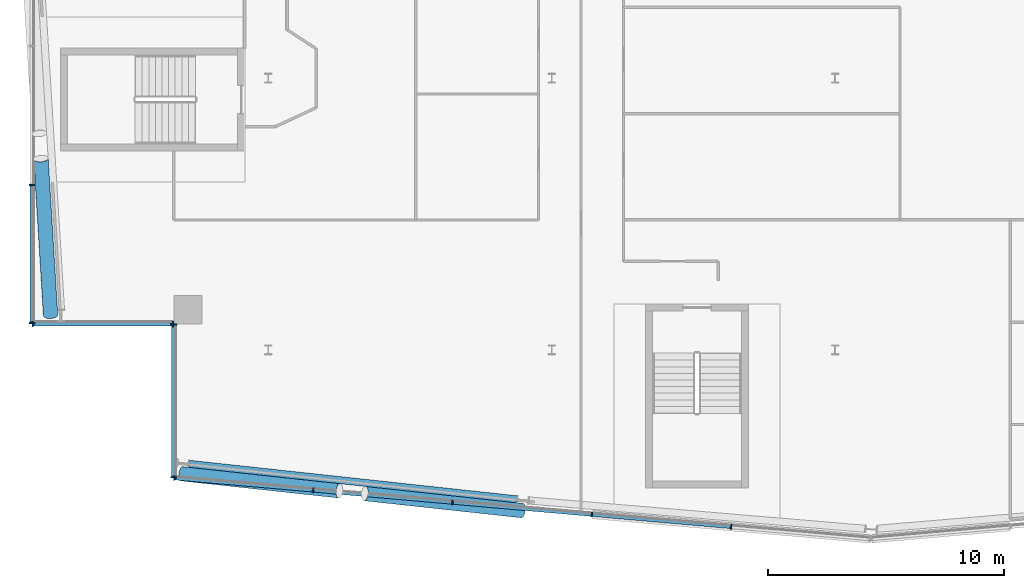
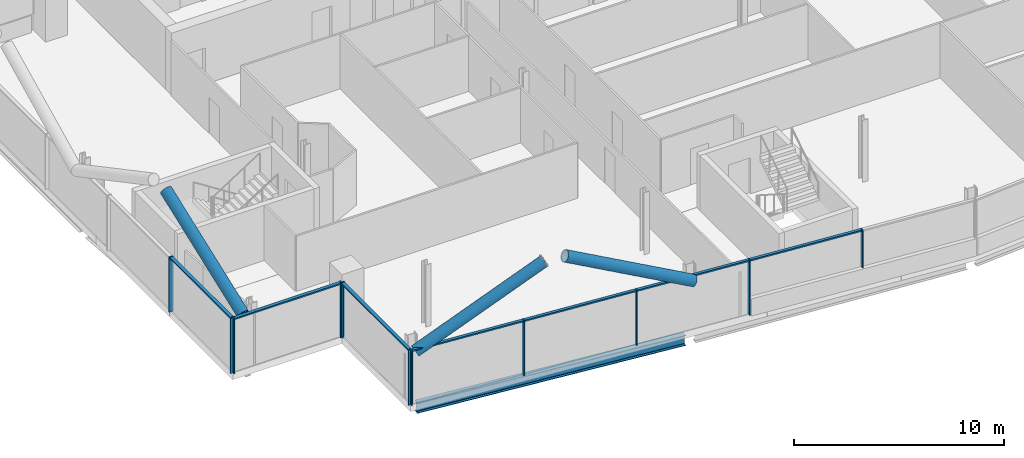
# One storey, part 5 of 25: 21 members, 1 beam, 4 elements without a shape of their own.
"""IFC4 building model written with IfcOpenShell, lengths in metres."""

from ifc_helpers import new_model, si_unit, direction, frame, origin, origin_2d, place, context, subcontext, project, spatial, rectangle, hollow_circle, i_section, extrude, material, material_profile, profile_set, type_object, element, aggregate, save


model = new_model("IFC4")

# Units and contexts
model_context = context("Model", 3, precision=1e-05, world=origin(), true_north=direction((0.0, 1.0)))
body_context = subcontext(model_context, "Body", "Model", "MODEL_VIEW")
ifc_project = project(units=[si_unit("LENGTHUNIT", "METRE"), si_unit("AREAUNIT", "SQUARE_METRE"), si_unit("VOLUMEUNIT", "CUBIC_METRE"), si_unit("PLANEANGLEUNIT", "RADIAN"), si_unit("MASSUNIT", "GRAM", prefix="KILO")], contexts=[model_context])

# Site, building, storey
site_placement = place(None, origin())
site = spatial("IfcSite", under=ifc_project, at=site_placement, CompositionType="ELEMENT")
building_placement = place(site_placement, origin())
building = spatial("IfcBuilding", under=site, at=building_placement, Name="Wharfspan Tower", CompositionType="ELEMENT")
storey_placement = place(building_placement, frame((0.0, 0.0, 225.100098)))
storey = spatial("IfcBuildingStorey", under=building, at=storey_placement, Name="L56", CompositionType="ELEMENT", Elevation=225.100098)

# Beam
ifc_material_1 = material(Name="Steel S355J2", Category="steel")
ifc_material_profile_1 = material_profile(ifc_material_1, i_section(OverallWidth=0.300049, OverallDepth=0.600098, WebThickness=0.015381, FlangeThickness=0.030029, FilletRadius=0.0271, at=origin_2d()))
ifc_profile_set_1 = profile_set([ifc_material_profile_1], Name="Steel S355J2")
beam_type = type_object("IfcBeamType", Name="Edge beam HEB 600", PredefinedType="SPANDREL", material=ifc_profile_set_1)
beam_placement = place(storey_placement, frame((20.648682, 6.674805, -0.700195), z_axis=(0.99418, -0.107732, 0.0), x_axis=(0.107732, 0.99418, 0.0)))
element("IfcBeam", 1, at=beam_placement, inside=storey, type_object=beam_type, Name="Edge beam S1 L56 PS1.1 to PS1.2", PredefinedType="SPANDREL", context=body_context, shape_type="SweptSolid", body=[
    extrude(i_section(OverallWidth=0.300049, OverallDepth=0.600098, WebThickness=0.015381, FlangeThickness=0.030029, FilletRadius=0.0271, at=origin_2d()), origin(), (0.0, 0.0, 1.0), 13.95752),
])

# Curtain wall, members
ifc_material_2 = material(Name="Aluminium 6063-T6", Category="aluminium")
curtain_wall_type_1 = type_object("IfcCurtainWallType", Name="CURTAIN WALL FACETED FRONT", PredefinedType="NOTDEFINED", material=ifc_material_2)
curtain_wall_1_placement = place(storey_placement, origin())
curtain_wall_1 = element("IfcCurtainWall", 2, at=curtain_wall_1_placement, inside=storey, type_object=curtain_wall_type_1, Name="Curtain wall S1", PredefinedType="NOTDEFINED")
ifc_material_profile_2 = material_profile(ifc_material_2, rectangle(XDim=0.199951, YDim=0.060059, at=origin_2d()))
ifc_profile_set_2 = profile_set([ifc_material_profile_2], Name="Aluminium 6063-T6")
member_type_1 = type_object("IfcMemberType", Name="MULLION FACETED FRONT 60x200", PredefinedType="MULLION", material=ifc_profile_set_2)
member_1_placement = place(storey_placement, frame((20.029785, 6.07251, 0.0), z_axis=(0.0, 0.0, 1.0), x_axis=(0.087156, 0.996197, 0.0)))
member_1 = element("IfcMember", 3, at=member_1_placement, type_object=member_type_1, Name="Curtain wall S1 mullion 1", PredefinedType="MULLION", context=body_context, shape_type="SweptSolid", body=[
    extrude(rectangle(XDim=0.199951, YDim=0.060059, at=origin_2d()), origin(), (0.0, 0.0, 1.0), 3.199951),
])
member_2_placement = place(storey_placement, frame((25.899902, 5.558838, 0.0), z_axis=(0.0, 0.0, 1.0), x_axis=(0.087156, 0.996197, 0.0)))
member_2 = element("IfcMember", 4, at=member_2_placement, type_object=member_type_1, Name="Curtain wall S1 mullion 2", PredefinedType="MULLION", context=body_context, shape_type="SweptSolid", body=[
    extrude(rectangle(XDim=0.199951, YDim=0.060059, at=origin_2d()), origin(), (0.0, 0.0, 1.0), 3.199951),
])
member_3_placement = place(storey_placement, frame((31.800049, 5.042725, 0.0), z_axis=(0.0, 0.0, 1.0), x_axis=(0.087156, 0.996197, 0.0)))
member_3 = element("IfcMember", 5, at=member_3_placement, type_object=member_type_1, Name="Curtain wall S1 mullion 3", PredefinedType="MULLION", context=body_context, shape_type="SweptSolid", body=[
    extrude(rectangle(XDim=0.199951, YDim=0.060059, at=origin_2d()), origin(), (0.0, 0.0, 1.0), 3.199951),
])
member_4_placement = place(storey_placement, frame((37.699951, 4.526611, 0.0), z_axis=(0.0, 0.0, 1.0), x_axis=(0.087156, 0.996197, 0.0)))
member_4 = element("IfcMember", 6, at=member_4_placement, type_object=member_type_1, Name="Curtain wall S1 mullion 4", PredefinedType="MULLION", context=body_context, shape_type="SweptSolid", body=[
    extrude(rectangle(XDim=0.199951, YDim=0.060059, at=origin_2d()), origin(), (0.0, 0.0, 1.0), 3.199951),
])
member_5_placement = place(storey_placement, frame((43.600098, 4.010254, 1.0), z_axis=(0.0, 0.0, 1.0), x_axis=(0.087156, 0.996197, 0.0)))
member_5 = element("IfcMember", 7, at=member_5_placement, type_object=member_type_1, Name="Curtain wall S1 mullion 5", PredefinedType="MULLION", context=body_context, shape_type="SweptSolid", body=[
    extrude(rectangle(XDim=0.199951, YDim=0.060059, at=origin_2d()), origin(), (0.0, 0.0, 1.0), 2.199951),
])

curtain_wall_type_2 = type_object("IfcCurtainWallType", Name="CURTAIN WALL PROW AND END", PredefinedType="NOTDEFINED", material=ifc_material_2)
curtain_wall_2_placement = place(storey_placement, origin())
curtain_wall_2 = element("IfcCurtainWall", 8, at=curtain_wall_2_placement, inside=storey, type_object=curtain_wall_type_2, Name="Curtain wall W", PredefinedType="NOTDEFINED")
ifc_material_profile_3 = material_profile(ifc_material_2, rectangle(XDim=0.23999, YDim=0.060059, at=origin_2d()))
ifc_profile_set_3 = profile_set([ifc_material_profile_3], Name="Aluminium 6063-T6")
member_type_2 = type_object("IfcMemberType", Name="MULLION PROW AND END 60x240", PredefinedType="MULLION", material=ifc_profile_set_3)
member_6_placement = place(storey_placement, frame((14.0, 18.47998, 0.0), z_axis=(0.0, 0.0, 1.0), x_axis=(1.0, 0.0, 0.0)))
member_6 = element("IfcMember", 9, at=member_6_placement, type_object=member_type_2, Name="Curtain wall W mullion 5", PredefinedType="MULLION", context=body_context, shape_type="SweptSolid", body=[
    extrude(rectangle(XDim=0.23999, YDim=0.060059, at=origin_2d()), origin(), (0.0, 0.0, 1.0), 3.199951),
])
member_7_placement = place(storey_placement, frame((14.0, 12.629883, 0.0), z_axis=(0.0, 0.0, 1.0), x_axis=(1.0, 0.0, 0.0)))
member_7 = element("IfcMember", 10, at=member_7_placement, type_object=member_type_2, Name="Curtain wall W mullion 6", PredefinedType="MULLION", context=body_context, shape_type="SweptSolid", body=[
    extrude(rectangle(XDim=0.23999, YDim=0.060059, at=origin_2d()), origin(), (0.0, 0.0, 1.0), 3.199951),
])

curtain_wall_3_placement = place(storey_placement, origin())
curtain_wall_3 = element("IfcCurtainWall", 11, at=curtain_wall_3_placement, inside=storey, type_object=curtain_wall_type_2, Name="Curtain wall NFW-H", PredefinedType="NOTDEFINED")
member_8_placement = place(storey_placement, frame((14.030029, 12.600098, 0.0), z_axis=(0.0, 0.0, 1.0), x_axis=(0.0, 1.0, 0.0)))
member_8 = element("IfcMember", 12, at=member_8_placement, type_object=member_type_2, Name="Curtain wall NFW-H mullion 1", PredefinedType="MULLION", context=body_context, shape_type="SweptSolid", body=[
    extrude(rectangle(XDim=0.23999, YDim=0.060059, at=origin_2d()), origin(), (0.0, 0.0, 1.0), 3.199951),
])
member_9_placement = place(storey_placement, frame((19.969971, 12.600098, 0.0), z_axis=(0.0, 0.0, 1.0), x_axis=(0.0, 1.0, 0.0)))
member_9 = element("IfcMember", 13, at=member_9_placement, type_object=member_type_2, Name="Curtain wall NFW-H mullion 2", PredefinedType="MULLION", context=body_context, shape_type="SweptSolid", body=[
    extrude(rectangle(XDim=0.23999, YDim=0.060059, at=origin_2d()), origin(), (0.0, 0.0, 1.0), 3.199951),
])

curtain_wall_4_placement = place(storey_placement, origin())
curtain_wall_4 = element("IfcCurtainWall", 14, at=curtain_wall_4_placement, inside=storey, type_object=curtain_wall_type_2, Name="Curtain wall NFW-V", PredefinedType="NOTDEFINED")
member_10_placement = place(storey_placement, frame((20.0, 12.570068, 0.0), z_axis=(0.0, 0.0, 1.0), x_axis=(1.0, 0.0, 0.0)))
member_10 = element("IfcMember", 15, at=member_10_placement, type_object=member_type_2, Name="Curtain wall NFW-V mullion 1", PredefinedType="MULLION", context=body_context, shape_type="SweptSolid", body=[
    extrude(rectangle(XDim=0.23999, YDim=0.060059, at=origin_2d()), origin(), (0.0, 0.0, 1.0), 3.199951),
])
member_11_placement = place(storey_placement, frame((20.0, 6.10498, 0.0), z_axis=(0.0, 0.0, 1.0), x_axis=(1.0, 0.0, 0.0)))
member_11 = element("IfcMember", 16, at=member_11_placement, type_object=member_type_2, Name="Curtain wall NFW-V mullion 2", PredefinedType="MULLION", context=body_context, shape_type="SweptSolid", body=[
    extrude(rectangle(XDim=0.23999, YDim=0.060059, at=origin_2d()), origin(), (0.0, 0.0, 1.0), 3.199951),
])

# Members
ifc_material_3 = material(Name="Steel S460NH", Category="steel")
ifc_material_profile_4 = material_profile(ifc_material_3, hollow_circle(Radius=0.304932, WallThickness=0.024902, at=origin_2d()))
ifc_profile_set_4 = profile_set([ifc_material_profile_4], Name="Steel S460NH")
member_type_3 = type_object("IfcMemberType", Name="Mega brace CHS 610x25", PredefinedType="BRACE", material=ifc_profile_set_4)
for number, where, z_axis, x_axis, name in (
    (17, (20.352539, 6.249268, 2.899902), (0.890126, -0.09646, 0.445389), (0.107737, 0.99418, -2e-06), "Mega brace S1 L57 part 1"),
    (18, (34.741699, 4.689941, 2.899902), (-0.890126, 0.09646, 0.445389), (-0.107737, -0.99418, -2e-06), "Mega brace S1 L57 part 3"),
):
    element("IfcMember", number, at=place(storey_placement, frame(where, z_axis=z_axis, x_axis=x_axis)), inside=storey, type_object=member_type_3, Name=name, PredefinedType="BRACE", context=body_context, shape_type="SweptSolid", body=[
        extrude(hollow_circle(Radius=0.304932, WallThickness=0.024902, at=origin_2d()), origin(), (0.0, 0.0, 1.0), 7.474121),
    ])
member_12_placement = place(storey_placement, frame((14.782715, 12.963379, 2.899902), z_axis=(-0.054615, 0.892302, 0.448123), x_axis=(-0.998132, -0.061091, -3e-06)))
element("IfcMember", 19, at=member_12_placement, inside=storey, type_object=member_type_3, Name="Mega brace W4 L57 part 3", PredefinedType="BRACE", context=body_context, shape_type="SweptSolid", body=[
    extrude(hollow_circle(Radius=0.304932, WallThickness=0.024902, at=origin_2d()), origin(), (0.0, 0.0, 1.0), 7.429443),
])

# Member
ifc_material_profile_5 = material_profile(ifc_material_2, rectangle(XDim=0.159912, YDim=0.080078, at=origin_2d()))
ifc_profile_set_5 = profile_set([ifc_material_profile_5], Name="Aluminium 6063-T6")
member_type_4 = type_object("IfcMemberType", Name="TRANSOM FACETED FRONT 80x160", PredefinedType="USERDEFINED", material=ifc_profile_set_5)
member_13_placement = place(storey_placement, frame((20.059814, 6.069824, 3.159912), z_axis=(0.996195, -0.08715, 0.0), x_axis=(0.08715, 0.996195, 0.0)))
member_13 = element("IfcMember", 20, at=member_13_placement, type_object=member_type_4, Name="Curtain wall S1 transom 1", ObjectType="TRANSOM", PredefinedType="USERDEFINED", context=body_context, shape_type="SweptSolid", body=[
    extrude(rectangle(XDim=0.159912, YDim=0.080078, at=origin_2d()), origin(), (0.0, 0.0, 1.0), 5.83252),
])

member_14_placement = place(storey_placement, frame((25.929932, 5.556152, 3.159912), z_axis=(0.996198, -0.087122, 0.0), x_axis=(0.087122, 0.996198, 0.0)))
member_14 = element("IfcMember", 21, at=member_14_placement, type_object=member_type_4, Name="Curtain wall S1 transom 2", ObjectType="TRANSOM", PredefinedType="USERDEFINED", context=body_context, shape_type="SweptSolid", body=[
    extrude(rectangle(XDim=0.159912, YDim=0.080078, at=origin_2d()), origin(), (0.0, 0.0, 1.0), 5.862305),
])

member_15_placement = place(storey_placement, frame((31.829834, 5.040039, 3.159912), z_axis=(0.996194, -0.08716, 0.0), x_axis=(0.08716, 0.996194, 0.0)))
member_15 = element("IfcMember", 22, at=member_15_placement, type_object=member_type_4, Name="Curtain wall S1 transom 3", ObjectType="TRANSOM", PredefinedType="USERDEFINED", context=body_context, shape_type="SweptSolid", body=[
    extrude(rectangle(XDim=0.159912, YDim=0.080078, at=origin_2d()), origin(), (0.0, 0.0, 1.0), 5.862549),
])

member_16_placement = place(storey_placement, frame((37.72998, 4.523926, 3.159912), z_axis=(0.996194, -0.087163, 0.0), x_axis=(0.087163, 0.996194, 0.0)))
member_16 = element("IfcMember", 23, at=member_16_placement, type_object=member_type_4, Name="Curtain wall S1 transom 4", ObjectType="TRANSOM", PredefinedType="USERDEFINED", context=body_context, shape_type="SweptSolid", body=[
    extrude(rectangle(XDim=0.159912, YDim=0.080078, at=origin_2d()), origin(), (0.0, 0.0, 1.0), 5.862305),
])

aggregate(curtain_wall_1, [member_1, member_2, member_3, member_4, member_5, member_13, member_14, member_15, member_16])

ifc_material_profile_6 = material_profile(ifc_material_2, rectangle(XDim=0.179932, YDim=0.080078, at=origin_2d()))
ifc_profile_set_6 = profile_set([ifc_material_profile_6], Name="Aluminium 6063-T6")
member_type_5 = type_object("IfcMemberType", Name="TRANSOM PROW AND END 80x180", PredefinedType="USERDEFINED", material=ifc_profile_set_6)
member_17_placement = place(storey_placement, frame((14.0, 18.449951, 3.159912), z_axis=(0.0, -1.0, 0.0), x_axis=(1.0, 0.0, 0.0)))
member_17 = element("IfcMember", 24, at=member_17_placement, type_object=member_type_5, Name="Curtain wall W transom 5", ObjectType="TRANSOM", PredefinedType="USERDEFINED", context=body_context, shape_type="SweptSolid", body=[
    extrude(rectangle(XDim=0.179932, YDim=0.080078, at=origin_2d()), origin(), (0.0, 0.0, 1.0), 5.790039),
])

aggregate(curtain_wall_2, [member_6, member_7, member_17])

member_18_placement = place(storey_placement, frame((14.060059, 12.600098, 3.159912), z_axis=(1.0, 0.0, 0.0), x_axis=(0.0, 1.0, 0.0)))
member_18 = element("IfcMember", 25, at=member_18_placement, type_object=member_type_5, Name="Curtain wall NFW-H transom 1", ObjectType="TRANSOM", PredefinedType="USERDEFINED", context=body_context, shape_type="SweptSolid", body=[
    extrude(rectangle(XDim=0.179932, YDim=0.080078, at=origin_2d()), origin(), (0.0, 0.0, 1.0), 5.879883),
])

aggregate(curtain_wall_3, [member_8, member_9, member_18])

member_19_placement = place(storey_placement, frame((20.0, 12.540039, 3.159912), z_axis=(0.0, -1.0, 0.0), x_axis=(1.0, 0.0, 0.0)))
member_19 = element("IfcMember", 26, at=member_19_placement, type_object=member_type_5, Name="Curtain wall NFW-V transom 1", ObjectType="TRANSOM", PredefinedType="USERDEFINED", context=body_context, shape_type="SweptSolid", body=[
    extrude(rectangle(XDim=0.179932, YDim=0.080078, at=origin_2d()), origin(), (0.0, 0.0, 1.0), 6.405029),
])

aggregate(curtain_wall_4, [member_10, member_11, member_19])

save(model, "model.ifc")
